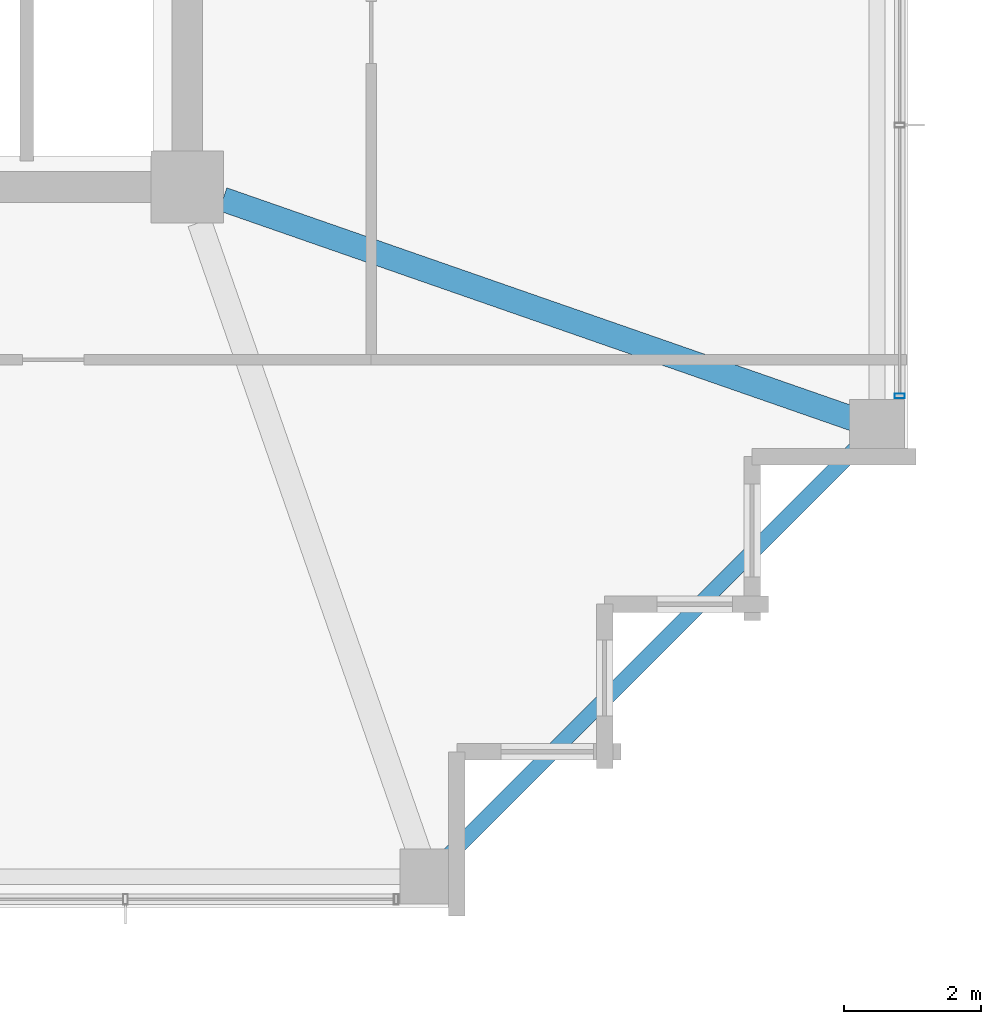
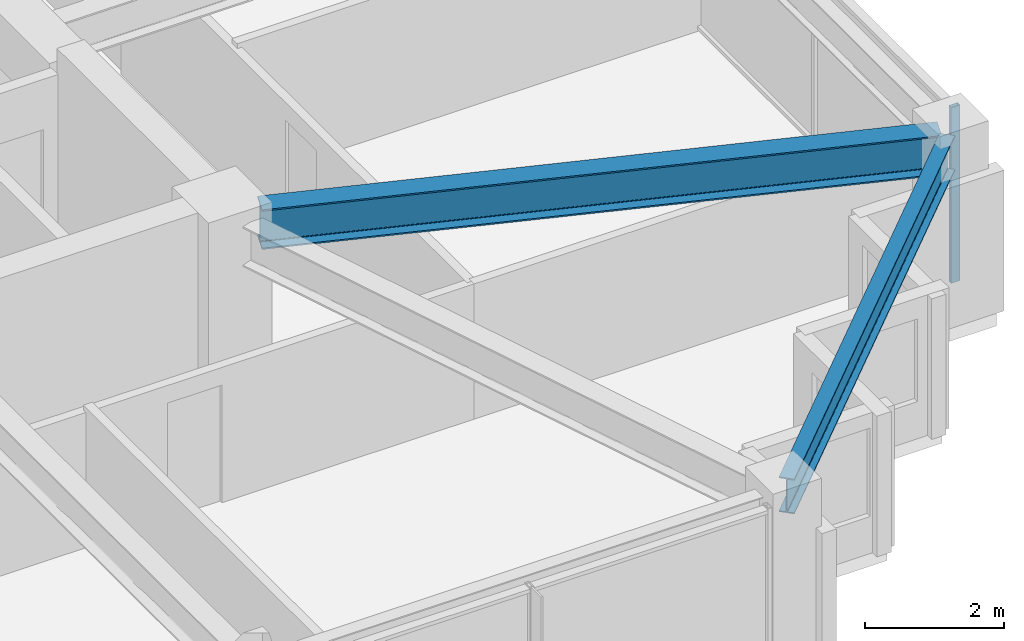
# One storey, part 11 of 33: 2 beams, 1 member, 1 element without a shape of its own.
"""IFC4 building model written with IfcOpenShell, lengths in metres."""

from ifc_helpers import new_model, si_unit, direction, frame, origin, origin_2d, place, context, subcontext, project, spatial, hollow_rectangle, i_section, extrude, material, material_profile, profile_set, type_object, element, aggregate, save


model = new_model("IFC4")

# Units and contexts
model_context = context("Model", 3, precision=1e-05, world=origin(), true_north=direction((0.0, 1.0)))
body_context = subcontext(model_context, "Body", "Model", "MODEL_VIEW")
ifc_project = project(units=[si_unit("LENGTHUNIT", "METRE"), si_unit("AREAUNIT", "SQUARE_METRE"), si_unit("VOLUMEUNIT", "CUBIC_METRE"), si_unit("PLANEANGLEUNIT", "RADIAN"), si_unit("MASSUNIT", "GRAM", prefix="KILO")], contexts=[model_context])

# Site, building, storey
site_placement = place(None, origin())
site = spatial("IfcSite", under=ifc_project, at=site_placement, CompositionType="ELEMENT")
building_placement = place(site_placement, origin())
building = spatial("IfcBuilding", under=site, at=building_placement, Name="Kolvaren Belvedere", CompositionType="ELEMENT")
storey_placement = place(building_placement, frame((0.0, 0.0, 209.699951171875)))
storey = spatial("IfcBuildingStorey", under=building, at=storey_placement, Name="L61", CompositionType="ELEMENT", Elevation=209.699951171875)

# Beams
ifc_material_1 = material(Name="Structural steel ASTM A992 Grade 50", Category="steel")
ifc_material_profile_1 = material_profile(ifc_material_1, i_section(OverallWidth=0.35498046875, OverallDepth=0.696044921875, WebThickness=0.015380859375, FlangeThickness=0.02490234375, FilletRadius=0.02197265625, at=origin_2d()), Name="W27X146")
ifc_profile_set_1 = profile_set([ifc_material_profile_1], Name="Structural steel ASTM A992 Grade 50")
beam_type_1 = type_object("IfcBeamType", Name="BM-GIRD-W27X146", PredefinedType="BEAM", material=ifc_profile_set_1)
beam_1_placement = place(storey_placement, frame((10.41943359375, -10.080810546875, 2.73193359375), z_axis=(0.944365399758, -0.328898147971, 0.0), x_axis=(0.328898147971, 0.944365399758, 0.0)))
element("IfcBeam", 1, at=beam_1_placement, inside=storey, type_object=beam_type_1, Name="L61 Corner Core-to-Perimeter Girder CC2-E1", PredefinedType="BEAM", context=body_context, shape_type="SweptSolid", body=[
    extrude(i_section(OverallWidth=0.35498046875, OverallDepth=0.696044921875, WebThickness=0.015380859375, FlangeThickness=0.02490234375, FilletRadius=0.02197265625, at=origin_2d()), origin(), (0.0, 0.0, 1.0), 9.931884765625),
])
ifc_material_2 = material(Name="Structural steel ASTM A992 Grade 50", Category="steel")
ifc_material_profile_2 = material_profile(ifc_material_2, i_section(OverallWidth=0.22900390625, OverallDepth=0.612060546875, WebThickness=0.011962890625, FlangeThickness=0.01953125, FilletRadius=0.01806640625, at=origin_2d()), Name="W24X84")
ifc_profile_set_2 = profile_set([ifc_material_profile_2], Name="Structural steel ASTM A992 Grade 50")
beam_type_2 = type_object("IfcBeamType", Name="BM-SPAN-W24X84", PredefinedType="SPANDREL", material=ifc_profile_set_2)
beam_2_placement = place(storey_placement, frame((13.52734375, -19.82275390625, 2.774169921875), z_axis=(0.707106781187, 0.707106781187, 0.0), x_axis=(-0.707106781187, 0.707106781187, 0.0)))
element("IfcBeam", 2, at=beam_2_placement, inside=storey, type_object=beam_type_2, Name="L61 Perimeter Spandrel S4-E1", PredefinedType="SPANDREL", context=body_context, shape_type="SweptSolid", body=[
    extrude(i_section(OverallWidth=0.22900390625, OverallDepth=0.612060546875, WebThickness=0.011962890625, FlangeThickness=0.01953125, FilletRadius=0.01806640625, at=origin_2d()), origin(), (0.0, 0.0, 1.0), 8.903076171875),
])

# Curtain wall, member
ifc_material_3 = material(Name="Anodised pale-metal aluminium AA 6063-T6", Category="aluminium")
curtain_wall_type = type_object("IfcCurtainWallType", Name="CW-Z5-HIGH", PredefinedType="NOTDEFINED", material=ifc_material_3)
curtain_wall_placement = place(storey_placement, origin())
curtain_wall = element("IfcCurtainWall", 3, at=curtain_wall_placement, inside=storey, type_object=curtain_wall_type, Name="L61 Unitised Curtain Wall FCW-L61-E-B3", PredefinedType="NOTDEFINED")
ifc_material_4 = material(Name="Anodised pale-metal aluminium AA 6063-T6", Category="aluminium")
ifc_material_profile_3 = material_profile(ifc_material_4, hollow_rectangle(XDim=0.070068359375, YDim=0.14990234375, WallThickness=0.004150390625, at=origin_2d()), Name="ALU-MUL-150X70")
ifc_profile_set_3 = profile_set([ifc_material_profile_3], Name="Anodised pale-metal aluminium AA 6063-T6")
member_type = type_object("IfcMemberType", Name="CW-MUL-150", PredefinedType="MULLION", material=ifc_profile_set_3)
member_placement = place(storey_placement, frame((20.280029296875, -12.945068359375, 0.0), z_axis=(0.0, 0.0, 1.0), x_axis=(0.0, 1.0, 0.0)))
member = element("IfcMember", 4, at=member_placement, type_object=member_type, Name="FCW-L61-E-B3 Unitised Mullion 3", PredefinedType="MULLION", context=body_context, shape_type="SweptSolid", body=[
    extrude(hollow_rectangle(XDim=0.070068359375, YDim=0.14990234375, WallThickness=0.004150390625, at=origin_2d()), origin(), (0.0, 0.0, 1.0), 3.080078125),
])
aggregate(curtain_wall, [member])

save(model, "model.ifc")
